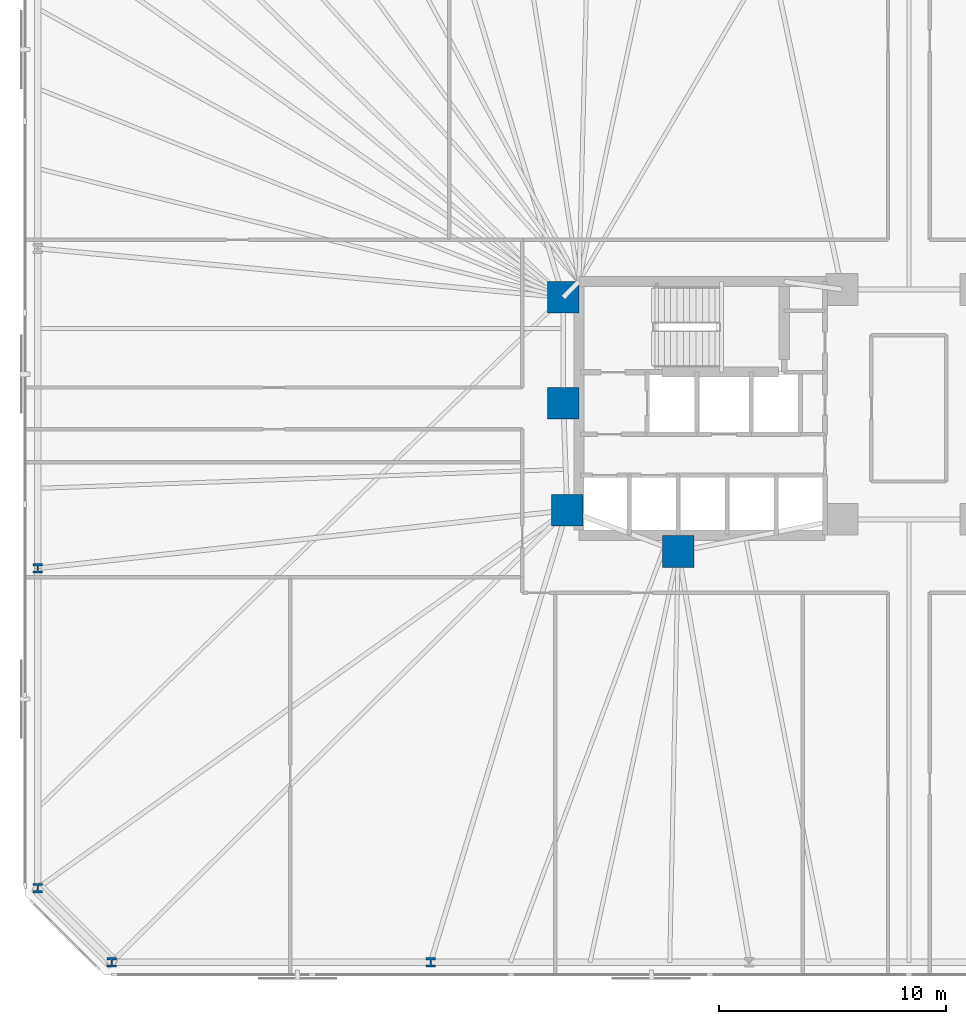
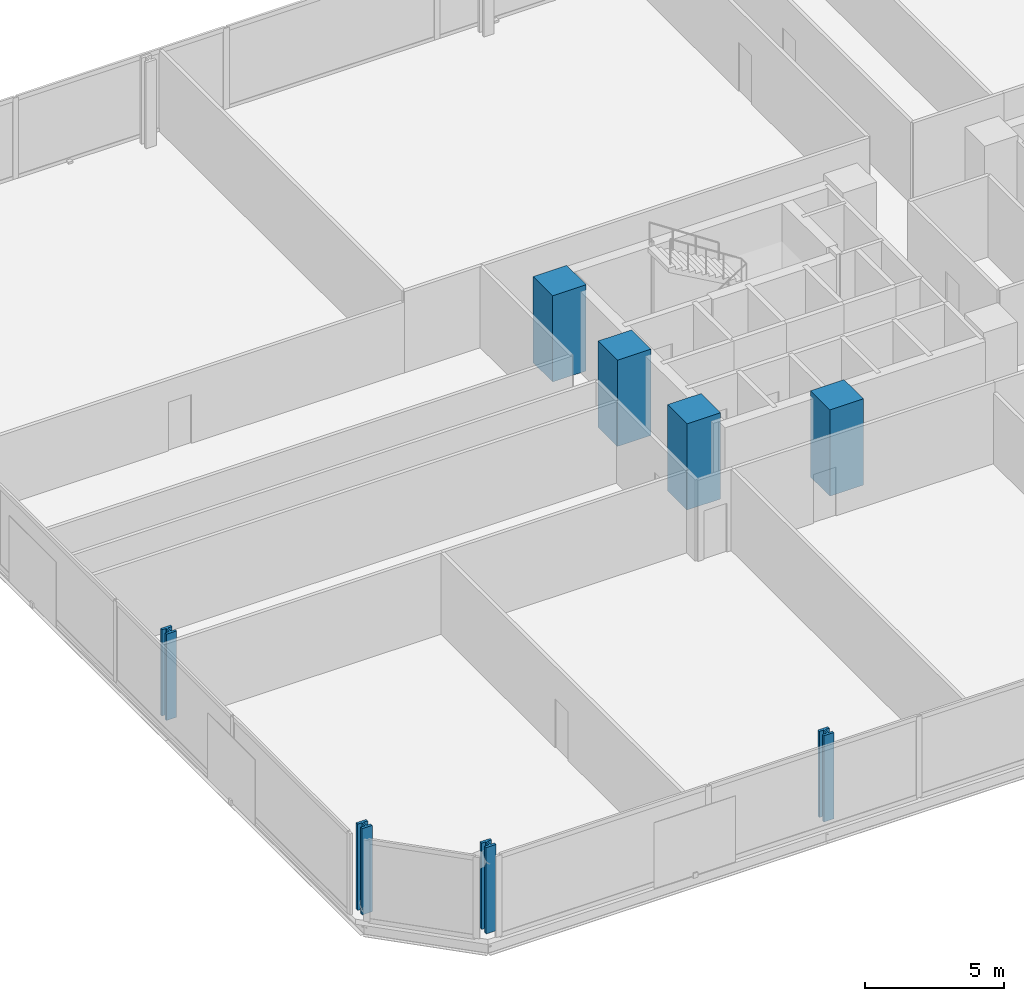
# One storey, part 1 of 17: 8 columns.
"""IFC4 building model written with IfcOpenShell, lengths in metres."""

from ifc_helpers import new_model, si_unit, direction, frame, origin, origin_2d, place, context, subcontext, project, spatial, rectangle, i_section, extrude, material, material_profile, profile_set, type_object, element, save


model = new_model("IFC4")

# Units and contexts
model_context = context("Model", 3, precision=1e-05, world=origin(), true_north=direction((0.0, 1.0)))
body_context = subcontext(model_context, "Body", "Model", "MODEL_VIEW")
ifc_project = project(units=[si_unit("LENGTHUNIT", "METRE"), si_unit("AREAUNIT", "SQUARE_METRE"), si_unit("VOLUMEUNIT", "CUBIC_METRE"), si_unit("PLANEANGLEUNIT", "RADIAN"), si_unit("MASSUNIT", "GRAM", prefix="KILO")], contexts=[model_context])

# Site, building, storey
site_placement = place(None, origin())
site = spatial("IfcSite", under=ifc_project, at=site_placement, CompositionType="ELEMENT")
building_placement = place(site_placement, origin())
building = spatial("IfcBuilding", under=site, at=building_placement, Name="Menara Jurai Vektor", CompositionType="ELEMENT")
storey_placement = place(building_placement, frame((0.0, 0.0, 29.39990234375)))
storey = spatial("IfcBuildingStorey", under=building, at=storey_placement, Name="L06", CompositionType="ELEMENT", Elevation=29.39990234375)

# Columns
ifc_material_1 = material(Name="Concrete C60/75", Category="concrete")
ifc_material_profile_1 = material_profile(ifc_material_1, rectangle(XDim=1.39990234375, YDim=1.39990234375, at=origin_2d()), Name="RC 1400x1400")
ifc_profile_set_1 = profile_set([ifc_material_profile_1], Name="Concrete C60/75")
column_type_1 = type_object("IfcColumnType", Name="STR-COL-RC1400", PredefinedType="COLUMN", material=ifc_profile_set_1)
for number, where, z_axis, x_axis, name in (
    (1, (-15.25, 4.89990234375, 0.0), (0.0, 0.0, 1.0), (1.0, 0.0, 0.0), "Core Spine Column CW-NW L06"),
    (2, (-15.25, 0.219970703125, 0.0), (0.0, 0.0, 1.0), (1.0, 0.0, 0.0), "Core Spine Column CW-WM L06"),
    (3, (-15.080078125, -4.5, 0.0), (0.0, 0.0, 1.0), (1.0, 0.0, 0.0), "Core Spine Column CW-SW L06"),
    (4, (-10.179931640625, -6.320068359375, 0.0), (0.0, 0.0, 1.0), (1.0, 0.0, 0.0), "Core Spine Column CW-SM L06"),
):
    element("IfcColumn", number, at=place(storey_placement, frame(where, z_axis=z_axis, x_axis=x_axis)), inside=storey, type_object=column_type_1, Name=name, PredefinedType="COLUMN", context=body_context, shape_type="SweptSolid", body=[
        extrude(rectangle(XDim=1.39990234375, YDim=1.39990234375, at=origin_2d()), origin(), (0.0, 0.0, 1.0), 3.800048828125),
    ])
ifc_material_2 = material(Name="Steel S460", Category="steel")
ifc_material_profile_2 = material_profile(ifc_material_2, i_section(OverallWidth=0.419921875, OverallDepth=0.430908203125, WebThickness=0.06494140625, FlangeThickness=0.10595703125, FilletRadius=0.014892578125, at=origin_2d()), Name="HD 400x900")
ifc_profile_set_2 = profile_set([ifc_material_profile_2], Name="Steel S460")
column_type_2 = type_object("IfcColumnType", Name="STR-EXO-BLK1", PredefinedType="COLUMN", material=ifc_profile_set_2)
for number, where, z_axis, x_axis, name in (
    (5, (-35.177734375, -24.449951171875, 0.0), (0.0, 0.0, 1.0), (1.0, 0.0, 0.0), "Exoskeleton Column BLK1-S1 L06"),
    (6, (-21.106689453125, -24.449951171875, 0.0), (0.0, 0.0, 1.0), (1.0, 0.0, 0.0), "Exoskeleton Column BLK1-S2 L06"),
    (7, (-38.449951171875, -7.059326171875, 0.0), (0.0, 0.0, 1.0), (1.0, 0.0, 0.0), "Exoskeleton Column BLK1-W3 L06"),
    (8, (-38.449951171875, -21.177734375, 0.0), (0.0, 0.0, 1.0), (1.0, 0.0, 0.0), "Exoskeleton Column BLK1-W4 L06"),
):
    element("IfcColumn", number, at=place(storey_placement, frame(where, z_axis=z_axis, x_axis=x_axis)), inside=storey, type_object=column_type_2, Name=name, PredefinedType="COLUMN", context=body_context, shape_type="SweptSolid", body=[
        extrude(i_section(OverallWidth=0.419921875, OverallDepth=0.430908203125, WebThickness=0.06494140625, FlangeThickness=0.10595703125, FilletRadius=0.014892578125, at=origin_2d()), origin(), (0.0, 0.0, 1.0), 3.800048828125),
    ])

save(model, "model.ifc")
